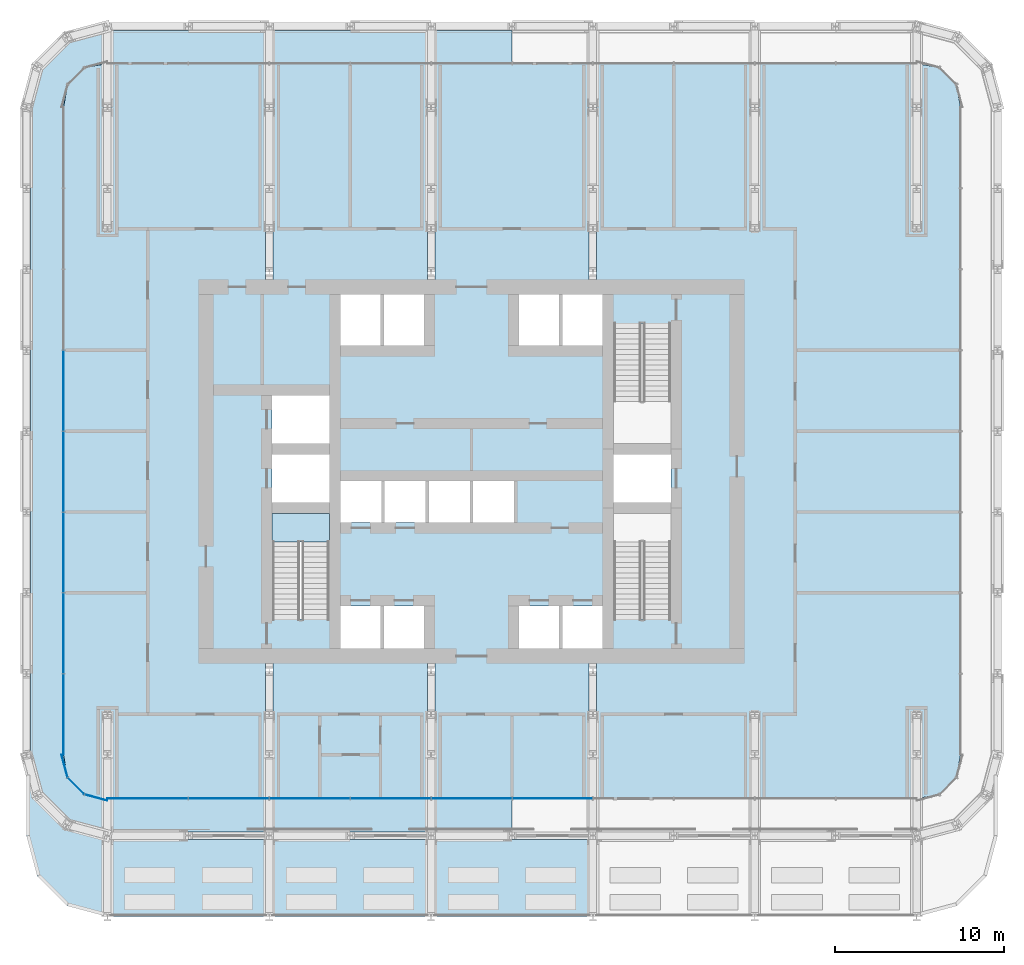
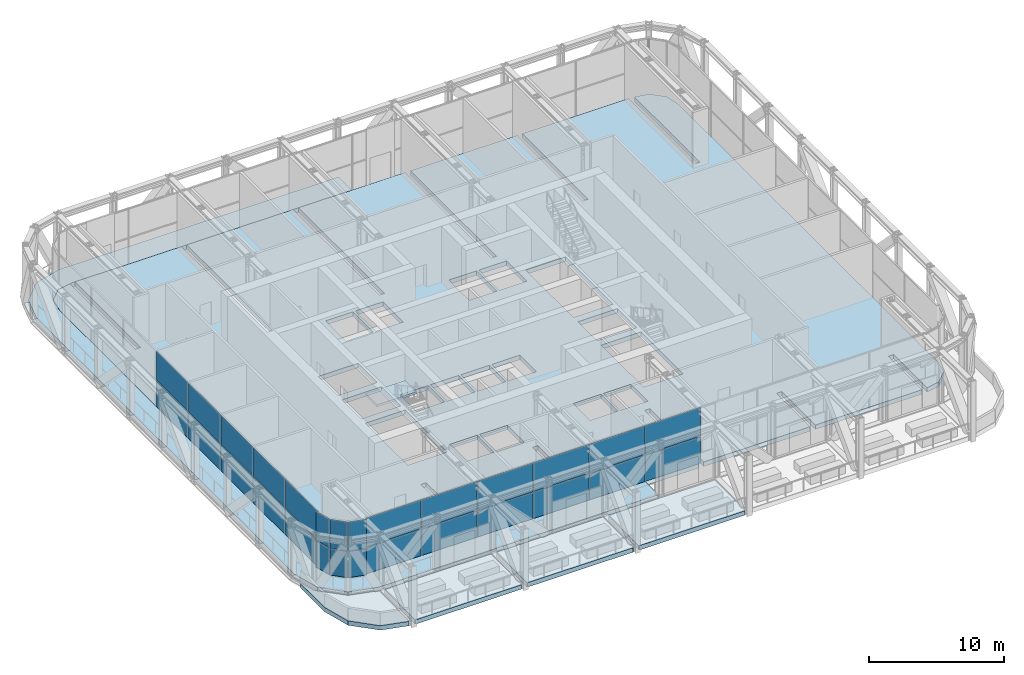
# One storey, part 12 of 23: 28 plates, 7 slabs, 4 elements without a shape of their own.
"""IFC4 building model written with IfcOpenShell, lengths in metres."""

from ifc_helpers import new_model, si_unit, direction, frame, origin, origin_2d, place, context, subcontext, project, spatial, polyline, rectangle, outline, extrude, material, layer, layer_set, type_object, element, aggregate, save


model = new_model("IFC4")

# Units and contexts
model_context = context("Model", 3, precision=1e-05, world=origin(), true_north=direction((0.0, 1.0)))
body_context = subcontext(model_context, "Body", "Model", "MODEL_VIEW")
ifc_project = project(units=[si_unit("LENGTHUNIT", "METRE"), si_unit("AREAUNIT", "SQUARE_METRE"), si_unit("VOLUMEUNIT", "CUBIC_METRE"), si_unit("PLANEANGLEUNIT", "RADIAN"), si_unit("MASSUNIT", "GRAM", prefix="KILO")], contexts=[model_context])

# Site, building, storey
site_placement = place(None, origin())
site = spatial("IfcSite", under=ifc_project, at=site_placement, CompositionType="ELEMENT")
building_placement = place(site_placement, origin())
building = spatial("IfcBuilding", under=site, at=building_placement, Name="Madar Terraces", CompositionType="ELEMENT")
storey_placement = place(building_placement, frame((0.0, 0.0, 83.800048828125)))
storey = spatial("IfcBuildingStorey", under=building, at=storey_placement, Name="L21", CompositionType="ELEMENT", Elevation=83.800048828125)

# Slab
ifc_material_1 = material(Name="Concrete C50/60", Category="concrete")
ifc_layer_1 = layer(ifc_material_1, 0.39990234375)
ifc_layer_set_1 = layer_set([ifc_layer_1], Name="FS6 PT flat slab 400")
slab_type_1 = type_object("IfcSlabType", Name="FS6 PT flat slab 400", PredefinedType="FLOOR", material=ifc_layer_set_1)
slab_1_placement = place(storey_placement, frame((0.0, 0.0, -0.400146484375)))
element("IfcSlab", 1, at=slab_1_placement, inside=storey, type_object=slab_type_1, Name="Floor slab L21 (1)", PredefinedType="FLOOR", context=body_context, shape_type="SweptSolid", body=[
    extrude(outline(polyline([(48.224853515625, 12.0), (48.224853515625, 7.0), (57.375244140625, 7.0), (57.375244140625, 12.0), (57.82470703125, 12.0), (57.82470703125, 7.040283203125), (58.9599609375, 7.244384765625), (59.95556640625, 8.239990234375), (60.199951171875, 9.60009765625), (60.199951171875, 48.0), (59.95556640625, 49.360107421875), (58.9599609375, 50.35546875), (57.82470703125, 50.5595703125), (57.82470703125, 40.800048828125), (57.375244140625, 40.800048828125), (57.375244140625, 50.60009765625), (48.224853515625, 50.60009765625), (48.224853515625, 40.800048828125), (47.775146484375, 40.800048828125), (47.775146484375, 50.60009765625), (38.624755859375, 50.60009765625), (38.624755859375, 37.800048828125), (38.17529296875, 37.800048828125), (38.17529296875, 50.60009765625), (29.02490234375, 50.60009765625), (29.02490234375, 37.800048828125), (28.5751953125, 37.800048828125), (28.5751953125, 50.60009765625), (19.4248046875, 50.60009765625), (19.4248046875, 37.800048828125), (18.97509765625, 37.800048828125), (18.97509765625, 50.60009765625), (9.82470703125, 50.60009765625), (9.82470703125, 40.800048828125), (9.375244140625, 40.800048828125), (9.375244140625, 50.5595703125), (8.239990234375, 50.35546875), (7.244384765625, 49.360107421875), (7.0, 48.0), (7.0, 9.60009765625), (7.244384765625, 8.239990234375), (8.239990234375, 7.244384765625), (9.375244140625, 7.040283203125), (9.375244140625, 12.0), (9.82470703125, 12.0), (9.82470703125, 7.0), (18.97509765625, 7.0), (18.97509765625, 15.0), (19.4248046875, 15.0), (19.4248046875, 7.0), (28.5751953125, 7.0), (28.5751953125, 15.0), (29.02490234375, 15.0), (29.02490234375, 7.0), (38.17529296875, 7.0), (38.17529296875, 15.0), (38.624755859375, 15.0), (38.624755859375, 7.0), (47.775146484375, 7.0), (47.775146484375, 12.0), (48.224853515625, 12.0)]), holes=[polyline([(25.800048828125, 15.89990234375), (23.425048828125, 15.89990234375), (23.425048828125, 18.425048828125), (25.800048828125, 18.425048828125), (25.800048828125, 15.89990234375)]), polyline([(28.375, 15.89990234375), (26.0, 15.89990234375), (26.0, 18.425048828125), (28.375, 18.425048828125), (28.375, 15.89990234375)]), polyline([(22.77490234375, 17.64990234375), (19.375, 17.64990234375), (19.375, 23.925048828125), (22.77490234375, 23.925048828125), (22.77490234375, 17.64990234375)]), polyline([(25.85009765625, 23.375), (23.425048828125, 23.375), (23.425048828125, 25.824951171875), (25.85009765625, 25.824951171875), (25.85009765625, 23.375)]), polyline([(28.47509765625, 23.375), (26.050048828125, 23.375), (26.050048828125, 25.824951171875), (28.47509765625, 25.824951171875), (28.47509765625, 23.375)]), polyline([(22.77490234375, 24.574951171875), (19.375, 24.574951171875), (19.375, 27.425048828125), (22.77490234375, 27.425048828125), (22.77490234375, 24.574951171875)]), polyline([(22.77490234375, 28.074951171875), (19.375, 28.074951171875), (19.375, 30.925048828125), (22.77490234375, 30.925048828125), (22.77490234375, 28.074951171875)]), polyline([(23.425048828125, 33.875), (23.425048828125, 36.89990234375), (25.800048828125, 36.89990234375), (25.800048828125, 33.875), (23.425048828125, 33.875)]), polyline([(26.0, 33.875), (26.0, 36.89990234375), (28.375, 36.89990234375), (28.375, 33.875), (26.0, 33.875)]), polyline([(36.39990234375, 15.89990234375), (34.02490234375, 15.89990234375), (34.02490234375, 18.425048828125), (36.39990234375, 18.425048828125), (36.39990234375, 15.89990234375)]), polyline([(38.97509765625, 15.89990234375), (36.60009765625, 15.89990234375), (36.60009765625, 18.425048828125), (38.97509765625, 18.425048828125), (38.97509765625, 15.89990234375)]), polyline([(43.02490234375, 17.64990234375), (39.625, 17.64990234375), (39.625, 23.925048828125), (43.02490234375, 23.925048828125), (43.02490234375, 17.64990234375)]), polyline([(31.10009765625, 23.375), (28.675048828125, 23.375), (28.675048828125, 25.824951171875), (31.10009765625, 25.824951171875), (31.10009765625, 23.375)]), polyline([(33.72509765625, 23.375), (31.300048828125, 23.375), (31.300048828125, 25.824951171875), (33.72509765625, 25.824951171875), (33.72509765625, 23.375)]), polyline([(43.02490234375, 24.574951171875), (39.625, 24.574951171875), (39.625, 27.425048828125), (43.02490234375, 27.425048828125), (43.02490234375, 24.574951171875)]), polyline([(43.02490234375, 28.074951171875), (39.625, 28.074951171875), (39.625, 35.14990234375), (43.02490234375, 35.14990234375), (43.02490234375, 28.074951171875)]), polyline([(34.02490234375, 33.875), (34.02490234375, 36.89990234375), (36.39990234375, 36.89990234375), (36.39990234375, 33.875), (34.02490234375, 33.875)]), polyline([(36.60009765625, 33.875), (36.60009765625, 36.89990234375), (38.97509765625, 36.89990234375), (38.97509765625, 33.875), (36.60009765625, 33.875)])]), origin(), (0.0, 0.0, 1.0), 0.400146484375),
])

# Curtain wall, plates
ifc_material_2 = material(Name="Glass, ceramic frit dark grey, with black aluminium frame", Category="aluminium")
ifc_layer_2 = layer(ifc_material_2, 0.199951171875)
ifc_layer_set_2 = layer_set([ifc_layer_2], Name="Facade curtain wall, tall glazing")
curtain_wall_type = type_object("IfcCurtainWallType", Name="Facade curtain wall, tall glazing", PredefinedType="NOTDEFINED", material=ifc_layer_set_2)
curtain_wall_1_placement = place(storey_placement, origin())
curtain_wall_1 = element("IfcCurtainWall", 2, at=curtain_wall_1_placement, inside=storey, type_object=curtain_wall_type, Name="Outer skin curtain wall south bay 1", PredefinedType="NOTDEFINED")
ifc_material_3 = material(Name="Glass, ceramic frit dark grey", Category="glass")
ifc_layer_3 = layer(ifc_material_3, 0.028076171875)
ifc_layer_set_3 = layer_set([ifc_layer_3], Name="Facade glass panel 28")
plate_type = type_object("IfcPlateType", Name="Facade glass panel 28", PredefinedType="CURTAIN_PANEL", material=ifc_layer_set_3)
plate_1_placement = place(storey_placement, frame((11.985107421875, 7.0, 0.0), z_axis=(0.0, 0.0, 1.0), x_axis=(1.0, 0.0, 0.0)))
plate_1 = element("IfcPlate", 3, at=plate_1_placement, type_object=plate_type, Name="Panel 1", PredefinedType="CURTAIN_PANEL", context=body_context, shape_type="SweptSolid", body=[
    extrude(rectangle(XDim=4.77001953125, YDim=0.028076171875, at=origin_2d()), origin(), (0.0, 0.0, 1.0), 2.3701171875),
])
plate_2_placement = place(storey_placement, frame((11.985107421875, 7.0, 2.4296875), z_axis=(0.0, 0.0, 1.0), x_axis=(1.0, 0.0, 0.0)))
plate_2 = element("IfcPlate", 4, at=plate_2_placement, type_object=plate_type, Name="Panel 2", PredefinedType="CURTAIN_PANEL", context=body_context, shape_type="SweptSolid", body=[
    extrude(rectangle(XDim=4.77001953125, YDim=0.028076171875, at=origin_2d()), origin(), (0.0, 0.0, 1.0), 2.610107421875),
])
plate_3_placement = place(storey_placement, frame((16.800048828125, 7.0, 0.0), z_axis=(0.0, 0.0, 1.0), x_axis=(1.0, 0.0, 0.0)))
plate_3 = element("IfcPlate", 5, at=plate_3_placement, type_object=plate_type, Name="Panel 3", PredefinedType="CURTAIN_PANEL", context=body_context, shape_type="SweptSolid", body=[
    extrude(rectangle(XDim=4.739990234375, YDim=0.028076171875, at=origin_2d()), origin(), (0.0, 0.0, 1.0), 2.3701171875),
])
plate_4_placement = place(storey_placement, frame((16.800048828125, 7.0, 2.4296875), z_axis=(0.0, 0.0, 1.0), x_axis=(1.0, 0.0, 0.0)))
plate_4 = element("IfcPlate", 6, at=plate_4_placement, type_object=plate_type, Name="Panel 4", PredefinedType="CURTAIN_PANEL", context=body_context, shape_type="SweptSolid", body=[
    extrude(rectangle(XDim=4.739990234375, YDim=0.028076171875, at=origin_2d()), origin(), (0.0, 0.0, 1.0), 2.610107421875),
])
plate_5_placement = place(storey_placement, frame((21.60009765625, 7.0, 0.0), z_axis=(0.0, 0.0, 1.0), x_axis=(1.0, 0.0, 0.0)))
plate_5 = element("IfcPlate", 7, at=plate_5_placement, type_object=plate_type, Name="Panel 5", PredefinedType="CURTAIN_PANEL", context=body_context, shape_type="SweptSolid", body=[
    extrude(rectangle(XDim=4.739990234375, YDim=0.028076171875, at=origin_2d()), origin(), (0.0, 0.0, 1.0), 2.3701171875),
])
plate_6_placement = place(storey_placement, frame((21.60009765625, 7.0, 2.4296875), z_axis=(0.0, 0.0, 1.0), x_axis=(1.0, 0.0, 0.0)))
plate_6 = element("IfcPlate", 8, at=plate_6_placement, type_object=plate_type, Name="Panel 6", PredefinedType="CURTAIN_PANEL", context=body_context, shape_type="SweptSolid", body=[
    extrude(rectangle(XDim=4.739990234375, YDim=0.028076171875, at=origin_2d()), origin(), (0.0, 0.0, 1.0), 2.610107421875),
])
plate_7_placement = place(storey_placement, frame((26.39990234375, 7.0, 0.0), z_axis=(0.0, 0.0, 1.0), x_axis=(1.0, 0.0, 0.0)))
plate_7 = element("IfcPlate", 9, at=plate_7_placement, type_object=plate_type, Name="Panel 7", PredefinedType="CURTAIN_PANEL", context=body_context, shape_type="SweptSolid", body=[
    extrude(rectangle(XDim=4.739990234375, YDim=0.028076171875, at=origin_2d()), origin(), (0.0, 0.0, 1.0), 2.3701171875),
])
plate_8_placement = place(storey_placement, frame((26.39990234375, 7.0, 2.4296875), z_axis=(0.0, 0.0, 1.0), x_axis=(1.0, 0.0, 0.0)))
plate_8 = element("IfcPlate", 10, at=plate_8_placement, type_object=plate_type, Name="Panel 8", PredefinedType="CURTAIN_PANEL", context=body_context, shape_type="SweptSolid", body=[
    extrude(rectangle(XDim=4.739990234375, YDim=0.028076171875, at=origin_2d()), origin(), (0.0, 0.0, 1.0), 2.610107421875),
])
plate_9_placement = place(storey_placement, frame((31.199951171875, 7.0, 0.0), z_axis=(0.0, 0.0, 1.0), x_axis=(1.0, 0.0, 0.0)))
plate_9 = element("IfcPlate", 11, at=plate_9_placement, type_object=plate_type, Name="Panel 9", PredefinedType="CURTAIN_PANEL", context=body_context, shape_type="SweptSolid", body=[
    extrude(rectangle(XDim=4.739990234375, YDim=0.028076171875, at=origin_2d()), origin(), (0.0, 0.0, 1.0), 2.3701171875),
])
plate_10_placement = place(storey_placement, frame((31.199951171875, 7.0, 2.4296875), z_axis=(0.0, 0.0, 1.0), x_axis=(1.0, 0.0, 0.0)))
plate_10 = element("IfcPlate", 12, at=plate_10_placement, type_object=plate_type, Name="Panel 10", PredefinedType="CURTAIN_PANEL", context=body_context, shape_type="SweptSolid", body=[
    extrude(rectangle(XDim=4.739990234375, YDim=0.028076171875, at=origin_2d()), origin(), (0.0, 0.0, 1.0), 2.610107421875),
])
plate_11_placement = place(storey_placement, frame((36.0, 7.0, 0.0), z_axis=(0.0, 0.0, 1.0), x_axis=(1.0, 0.0, 0.0)))
plate_11 = element("IfcPlate", 13, at=plate_11_placement, type_object=plate_type, Name="Panel 11", PredefinedType="CURTAIN_PANEL", context=body_context, shape_type="SweptSolid", body=[
    extrude(rectangle(XDim=4.739990234375, YDim=0.028076171875, at=origin_2d()), origin(), (0.0, 0.0, 1.0), 2.3701171875),
])
plate_12_placement = place(storey_placement, frame((36.0, 7.0, 2.4296875), z_axis=(0.0, 0.0, 1.0), x_axis=(1.0, 0.0, 0.0)))
plate_12 = element("IfcPlate", 14, at=plate_12_placement, type_object=plate_type, Name="Panel 12", PredefinedType="CURTAIN_PANEL", context=body_context, shape_type="SweptSolid", body=[
    extrude(rectangle(XDim=4.739990234375, YDim=0.028076171875, at=origin_2d()), origin(), (0.0, 0.0, 1.0), 2.610107421875),
])
aggregate(curtain_wall_1, [plate_1, plate_2, plate_3, plate_4, plate_5, plate_6, plate_7, plate_8, plate_9, plate_10, plate_11, plate_12])

curtain_wall_2_placement = place(storey_placement, origin())
curtain_wall_2 = element("IfcCurtainWall", 15, at=curtain_wall_2_placement, inside=storey, type_object=curtain_wall_type, Name="Outer skin curtain wall west bay 1", PredefinedType="NOTDEFINED")
plate_13_placement = place(storey_placement, frame((7.0, 31.199951171875, 0.0), z_axis=(0.0, 0.0, 1.0), x_axis=(0.0, -1.0, 0.0)))
plate_13 = element("IfcPlate", 16, at=plate_13_placement, type_object=plate_type, Name="Panel 7", PredefinedType="CURTAIN_PANEL", context=body_context, shape_type="SweptSolid", body=[
    extrude(rectangle(XDim=4.739990234375, YDim=0.028076171875, at=origin_2d()), origin(), (0.0, 0.0, 1.0), 2.3701171875),
])
plate_14_placement = place(storey_placement, frame((7.0, 31.199951171875, 2.4296875), z_axis=(0.0, 0.0, 1.0), x_axis=(0.0, -1.0, 0.0)))
plate_14 = element("IfcPlate", 17, at=plate_14_placement, type_object=plate_type, Name="Panel 8", PredefinedType="CURTAIN_PANEL", context=body_context, shape_type="SweptSolid", body=[
    extrude(rectangle(XDim=4.739990234375, YDim=0.028076171875, at=origin_2d()), origin(), (0.0, 0.0, 1.0), 2.610107421875),
])
plate_15_placement = place(storey_placement, frame((7.0, 26.39990234375, 0.0), z_axis=(0.0, 0.0, 1.0), x_axis=(0.0, -1.0, 0.0)))
plate_15 = element("IfcPlate", 18, at=plate_15_placement, type_object=plate_type, Name="Panel 9", PredefinedType="CURTAIN_PANEL", context=body_context, shape_type="SweptSolid", body=[
    extrude(rectangle(XDim=4.739990234375, YDim=0.028076171875, at=origin_2d()), origin(), (0.0, 0.0, 1.0), 2.3701171875),
])
plate_16_placement = place(storey_placement, frame((7.0, 26.39990234375, 2.4296875), z_axis=(0.0, 0.0, 1.0), x_axis=(0.0, -1.0, 0.0)))
plate_16 = element("IfcPlate", 19, at=plate_16_placement, type_object=plate_type, Name="Panel 10", PredefinedType="CURTAIN_PANEL", context=body_context, shape_type="SweptSolid", body=[
    extrude(rectangle(XDim=4.739990234375, YDim=0.028076171875, at=origin_2d()), origin(), (0.0, 0.0, 1.0), 2.610107421875),
])
plate_17_placement = place(storey_placement, frame((7.0, 21.60009765625, 0.0), z_axis=(0.0, 0.0, 1.0), x_axis=(0.0, -1.0, 0.0)))
plate_17 = element("IfcPlate", 20, at=plate_17_placement, type_object=plate_type, Name="Panel 11", PredefinedType="CURTAIN_PANEL", context=body_context, shape_type="SweptSolid", body=[
    extrude(rectangle(XDim=4.739990234375, YDim=0.028076171875, at=origin_2d()), origin(), (0.0, 0.0, 1.0), 2.3701171875),
])
plate_18_placement = place(storey_placement, frame((7.0, 21.60009765625, 2.4296875), z_axis=(0.0, 0.0, 1.0), x_axis=(0.0, -1.0, 0.0)))
plate_18 = element("IfcPlate", 21, at=plate_18_placement, type_object=plate_type, Name="Panel 12", PredefinedType="CURTAIN_PANEL", context=body_context, shape_type="SweptSolid", body=[
    extrude(rectangle(XDim=4.739990234375, YDim=0.028076171875, at=origin_2d()), origin(), (0.0, 0.0, 1.0), 2.610107421875),
])
plate_19_placement = place(storey_placement, frame((7.0, 16.800048828125, 0.0), z_axis=(0.0, 0.0, 1.0), x_axis=(0.0, -1.0, 0.0)))
plate_19 = element("IfcPlate", 22, at=plate_19_placement, type_object=plate_type, Name="Panel 13", PredefinedType="CURTAIN_PANEL", context=body_context, shape_type="SweptSolid", body=[
    extrude(rectangle(XDim=4.739990234375, YDim=0.028076171875, at=origin_2d()), origin(), (0.0, 0.0, 1.0), 2.3701171875),
])
plate_20_placement = place(storey_placement, frame((7.0, 16.800048828125, 2.4296875), z_axis=(0.0, 0.0, 1.0), x_axis=(0.0, -1.0, 0.0)))
plate_20 = element("IfcPlate", 23, at=plate_20_placement, type_object=plate_type, Name="Panel 14", PredefinedType="CURTAIN_PANEL", context=body_context, shape_type="SweptSolid", body=[
    extrude(rectangle(XDim=4.739990234375, YDim=0.028076171875, at=origin_2d()), origin(), (0.0, 0.0, 1.0), 2.610107421875),
])
plate_21_placement = place(storey_placement, frame((7.0, 11.985107421875, 0.0), z_axis=(0.0, 0.0, 1.0), x_axis=(0.0, -1.0, 0.0)))
plate_21 = element("IfcPlate", 24, at=plate_21_placement, type_object=plate_type, Name="Panel 15", PredefinedType="CURTAIN_PANEL", context=body_context, shape_type="SweptSolid", body=[
    extrude(rectangle(XDim=4.77001953125, YDim=0.028076171875, at=origin_2d()), origin(), (0.0, 0.0, 1.0), 2.3701171875),
])
plate_22_placement = place(storey_placement, frame((7.0, 11.985107421875, 2.4296875), z_axis=(0.0, 0.0, 1.0), x_axis=(0.0, -1.0, 0.0)))
plate_22 = element("IfcPlate", 25, at=plate_22_placement, type_object=plate_type, Name="Panel 16", PredefinedType="CURTAIN_PANEL", context=body_context, shape_type="SweptSolid", body=[
    extrude(rectangle(XDim=4.77001953125, YDim=0.028076171875, at=origin_2d()), origin(), (0.0, 0.0, 1.0), 2.610107421875),
])
aggregate(curtain_wall_2, [plate_13, plate_14, plate_15, plate_16, plate_17, plate_18, plate_19, plate_20, plate_21, plate_22])

curtain_wall_3_placement = place(storey_placement, origin())
curtain_wall_3 = element("IfcCurtainWall", 26, at=curtain_wall_3_placement, inside=storey, type_object=curtain_wall_type, Name="Outer skin curtain wall south-west corner", PredefinedType="NOTDEFINED")
plate_23_placement = place(storey_placement, frame((7.058349609375, 8.9345703125, 0.0), z_axis=(0.0, 0.0, 1.0), x_axis=(0.258819110244, -0.965925808834, 0.0)))
plate_23 = element("IfcPlate", 27, at=plate_23_placement, type_object=plate_type, Name="Panel 1", PredefinedType="CURTAIN_PANEL", context=body_context, shape_type="SweptSolid", body=[
    extrude(rectangle(XDim=1.3779296875, YDim=0.028076171875, at=origin_2d()), origin(), (0.0, 0.0, 1.0), 2.3701171875),
])
plate_24_placement = place(storey_placement, frame((7.058349609375, 8.9345703125, 2.4296875), z_axis=(0.0, 0.0, 1.0), x_axis=(0.258819110244, -0.965925808834, 0.0)))
plate_24 = element("IfcPlate", 28, at=plate_24_placement, type_object=plate_type, Name="Panel 2", PredefinedType="CURTAIN_PANEL", context=body_context, shape_type="SweptSolid", body=[
    extrude(rectangle(XDim=1.3779296875, YDim=0.028076171875, at=origin_2d()), origin(), (0.0, 0.0, 1.0), 2.610107421875),
])
plate_25_placement = place(storey_placement, frame((7.7421875, 7.7421875, 0.0), z_axis=(0.0, 0.0, 1.0), x_axis=(0.707106781187, -0.707106781187, 0.0)))
plate_25 = element("IfcPlate", 29, at=plate_25_placement, type_object=plate_type, Name="Panel 3", PredefinedType="CURTAIN_PANEL", context=body_context, shape_type="SweptSolid", body=[
    extrude(rectangle(XDim=1.347900390625, YDim=0.028076171875, at=origin_2d()), origin(), (0.0, 0.0, 1.0), 2.3701171875),
])
plate_26_placement = place(storey_placement, frame((7.7421875, 7.7421875, 2.4296875), z_axis=(0.0, 0.0, 1.0), x_axis=(0.707106781187, -0.707106781187, 0.0)))
plate_26 = element("IfcPlate", 30, at=plate_26_placement, type_object=plate_type, Name="Panel 4", PredefinedType="CURTAIN_PANEL", context=body_context, shape_type="SweptSolid", body=[
    extrude(rectangle(XDim=1.347900390625, YDim=0.028076171875, at=origin_2d()), origin(), (0.0, 0.0, 1.0), 2.610107421875),
])
plate_27_placement = place(storey_placement, frame((8.9345703125, 7.058349609375, 0.0), z_axis=(0.0, 0.0, 1.0), x_axis=(0.965925808834, -0.258819110244, 0.0)))
plate_27 = element("IfcPlate", 31, at=plate_27_placement, type_object=plate_type, Name="Panel 5", PredefinedType="CURTAIN_PANEL", context=body_context, shape_type="SweptSolid", body=[
    extrude(rectangle(XDim=1.3779296875, YDim=0.028076171875, at=origin_2d()), origin(), (0.0, 0.0, 1.0), 2.3701171875),
])
plate_28_placement = place(storey_placement, frame((8.9345703125, 7.058349609375, 2.4296875), z_axis=(0.0, 0.0, 1.0), x_axis=(0.965925808834, -0.258819110244, 0.0)))
plate_28 = element("IfcPlate", 32, at=plate_28_placement, type_object=plate_type, Name="Panel 6", PredefinedType="CURTAIN_PANEL", context=body_context, shape_type="SweptSolid", body=[
    extrude(rectangle(XDim=1.3779296875, YDim=0.028076171875, at=origin_2d()), origin(), (0.0, 0.0, 1.0), 2.610107421875),
])
aggregate(curtain_wall_3, [plate_23, plate_24, plate_25, plate_26, plate_27, plate_28])

# Stair, slab
ifc_material_4 = material(Name="Concrete C50/60", Category="concrete")
stair_type = type_object("IfcStairType", Name="Stair ST1 protected exit", PredefinedType="HALF_TURN_STAIR", material=ifc_material_4)
stair_placement = place(storey_placement, origin())
stair = element("IfcStair", 33, at=stair_placement, inside=storey, type_object=stair_type, Name="L21 Protected Exit Stair ST1", PredefinedType="HALF_TURN_STAIR")
ifc_material_5 = material(Name="Concrete C50/60", Category="concrete")
ifc_layer_4 = layer(ifc_material_5, 0.199951171875)
ifc_layer_set_4 = layer_set([ifc_layer_4], Name="Stair landing 200, top +2.70")
slab_type_2 = type_object("IfcSlabType", Name="Stair landing 200, top +2.70", PredefinedType="LANDING", material=ifc_layer_set_4)
slab_2_placement = place(storey_placement, frame((0.0, 0.0, 2.5)))
slab_2 = element("IfcSlab", 34, at=slab_2_placement, type_object=slab_type_2, Name="ST1 landing 1", PredefinedType="LANDING", context=body_context, shape_type="SweptSolid", body=[
    extrude(outline(polyline([(19.375, 22.219970703125), (22.77490234375, 22.219970703125), (22.77490234375, 23.925048828125), (19.375, 23.925048828125), (19.375, 22.219970703125)])), origin(), (0.0, 0.0, 1.0), 0.199951171875),
])
aggregate(stair, [slab_2])

# Slabs
ifc_material_6 = material(Name="Concrete C50/60", Category="concrete")
ifc_layer_5 = layer(ifc_material_6, 0.39990234375)
ifc_layer_set_5 = layer_set([ifc_layer_5], Name="TS1 PT terrace slab 400")
slab_type_3 = type_object("IfcSlabType", Name="TS1 PT terrace slab 400", PredefinedType="FLOOR", material=ifc_layer_set_5)
slab_3_placement = place(storey_placement, frame((0.0, 0.0, -0.400146484375)))
element("IfcSlab", 35, at=slab_3_placement, inside=storey, type_object=slab_type_3, Name="Gallery slab L21 (1)", PredefinedType="FLOOR", context=body_context, shape_type="SweptSolid", body=[
    extrude(outline(polyline([(7.31640625, 5.64453125), (9.629638671875, 5.02490234375), (33.60009765625, 5.02490234375), (33.60009765625, 7.0), (9.60009765625, 7.0), (8.239990234375, 7.244384765625), (7.244384765625, 8.239990234375), (7.0, 9.60009765625), (7.0, 48.0), (7.244384765625, 49.360107421875), (8.239990234375, 50.35546875), (9.60009765625, 50.60009765625), (33.60009765625, 50.60009765625), (33.60009765625, 52.5751953125), (9.629638671875, 52.5751953125), (7.31640625, 51.955322265625), (5.64453125, 50.28369140625), (5.02490234375, 47.970458984375), (5.02490234375, 9.629638671875), (5.64453125, 7.31640625), (7.31640625, 5.64453125)])), origin(), (0.0, 0.0, 1.0), 0.400146484375),
])
slab_4_placement = place(storey_placement, frame((0.0, 0.0, -0.400146484375)))
element("IfcSlab", 36, at=slab_4_placement, inside=storey, type_object=slab_type_3, Name="Terrace roof slab L21 (1)", PredefinedType="FLOOR", context=body_context, shape_type="SweptSolid", body=[
    extrude(outline(polyline([(7.082763671875, 5.242431640625), (5.242431640625, 7.082763671875), (5.24169921875, 7.083740234375), (5.2412109375, 7.0849609375), (4.898193359375, 8.36474609375), (4.896728515625, 8.369384765625), (4.894775390625, 8.3740234375), (4.892333984375, 8.378173828125), (4.8896484375, 8.38232421875), (4.88623046875, 8.385986328125), (4.8828125, 8.389404296875), (4.87890625, 8.392578125), (4.87451171875, 8.395263671875), (4.8701171875, 8.3974609375), (4.865478515625, 8.399169921875), (4.86083984375, 8.400634765625), (4.85595703125, 8.4013671875), (4.850830078125, 8.401611328125), (4.845947265625, 8.401611328125), (4.841064453125, 8.40087890625), (4.836181640625, 8.399658203125), (4.83154296875, 8.398193359375), (4.826904296875, 8.39599609375), (4.82275390625, 8.3935546875), (4.818603515625, 8.390625), (4.81494140625, 8.387451171875), (4.8115234375, 8.3837890625), (4.80859375, 8.379638671875), (4.80615234375, 8.37548828125), (4.803955078125, 8.37109375), (4.80224609375, 8.366455078125), (4.801025390625, 8.361572265625), (4.80029296875, 8.356689453125), (4.800048828125, 8.351806640625), (4.800048828125, 4.806640625), (4.80029296875, 4.80224609375), (4.80078125, 4.7978515625), (4.8017578125, 4.793701171875), (5.439697265625, 2.412841796875), (5.441162109375, 2.407958984375), (5.443359375, 2.403076171875), (5.446044921875, 2.398681640625), (5.448974609375, 2.39453125), (5.45263671875, 2.390625), (7.1904296875, 0.652587890625), (7.1943359375, 0.649169921875), (7.19873046875, 0.64599609375), (7.203125, 0.643310546875), (7.2080078125, 0.64111328125), (7.212890625, 0.6396484375), (9.312255859375, 0.0771484375), (9.31689453125, 0.076171875), (9.32177734375, 0.075439453125), (9.32666015625, 0.075439453125), (9.331298828125, 0.07568359375), (9.336181640625, 0.07666015625), (9.3408203125, 0.077880859375), (9.34521484375, 0.07958984375), (9.349609375, 0.081787109375), (9.353759765625, 0.084228515625), (9.357421875, 0.087158203125), (9.361083984375, 0.090576171875), (9.3642578125, 0.09423828125), (9.3671875, 0.09814453125), (9.36962890625, 0.102294921875), (9.37158203125, 0.106689453125), (9.373046875, 0.111083984375), (9.374267578125, 0.11572265625), (9.375, 0.12060546875), (9.375244140625, 0.12548828125), (9.375244140625, 4.589111328125), (9.375, 4.59423828125), (9.374267578125, 4.59912109375), (9.373046875, 4.60400390625), (9.37109375, 4.608642578125), (9.368896484375, 4.61328125), (9.366455078125, 4.617431640625), (9.36328125, 4.62158203125), (9.35986328125, 4.625244140625), (9.35595703125, 4.62841796875), (9.35205078125, 4.63134765625), (9.34765625, 4.6337890625), (9.343017578125, 4.635986328125), (9.338134765625, 4.637451171875), (7.0849609375, 5.2412109375), (7.083740234375, 5.24169921875), (7.082763671875, 5.242431640625)])), origin(), (0.0, 0.0, 1.0), 0.400146484375),
])
slab_5_placement = place(storey_placement, frame((0.0, 0.0, -0.400146484375)))
element("IfcSlab", 37, at=slab_5_placement, inside=storey, type_object=slab_type_3, Name="Terrace roof slab L21 (2)", PredefinedType="FLOOR", context=body_context, shape_type="SweptSolid", body=[
    extrude(outline(polyline([(9.869873046875, 0.000244140625), (9.874755859375, 0.0), (18.92529296875, 0.0), (18.93017578125, 0.000244140625), (18.93505859375, 0.0009765625), (18.939697265625, 0.002197265625), (18.9443359375, 0.00390625), (18.94873046875, 0.005859375), (18.952880859375, 0.008544921875), (18.95703125, 0.01123046875), (18.96044921875, 0.0146484375), (18.9638671875, 0.018310546875), (18.966796875, 0.022216796875), (18.96923828125, 0.0263671875), (18.971435546875, 0.03076171875), (18.97314453125, 0.035400390625), (18.974365234375, 0.040283203125), (18.974853515625, 0.045166015625), (18.97509765625, 0.050048828125), (18.97509765625, 4.525146484375), (18.974853515625, 4.530029296875), (18.974365234375, 4.534912109375), (18.97314453125, 4.539794921875), (18.971435546875, 4.54443359375), (18.96923828125, 4.548828125), (18.966796875, 4.552978515625), (18.9638671875, 4.556884765625), (18.96044921875, 4.560546875), (18.95703125, 4.56396484375), (18.952880859375, 4.56689453125), (18.94873046875, 4.5693359375), (18.9443359375, 4.5712890625), (18.939697265625, 4.572998046875), (18.93505859375, 4.57421875), (18.93017578125, 4.574951171875), (18.92529296875, 4.5751953125), (9.874755859375, 4.5751953125), (9.869873046875, 4.574951171875), (9.864990234375, 4.57421875), (9.8603515625, 4.572998046875), (9.855712890625, 4.5712890625), (9.851318359375, 4.5693359375), (9.846923828125, 4.56689453125), (9.843017578125, 4.56396484375), (9.83935546875, 4.560546875), (9.836181640625, 4.556884765625), (9.833251953125, 4.552978515625), (9.830810546875, 4.548828125), (9.82861328125, 4.54443359375), (9.826904296875, 4.539794921875), (9.82568359375, 4.534912109375), (9.824951171875, 4.530029296875), (9.82470703125, 4.525146484375), (9.82470703125, 0.050048828125), (9.824951171875, 0.045166015625), (9.82568359375, 0.040283203125), (9.826904296875, 0.035400390625), (9.82861328125, 0.03076171875), (9.830810546875, 0.0263671875), (9.833251953125, 0.022216796875), (9.836181640625, 0.018310546875), (9.83935546875, 0.0146484375), (9.843017578125, 0.01123046875), (9.846923828125, 0.008544921875), (9.851318359375, 0.005859375), (9.855712890625, 0.00390625), (9.8603515625, 0.002197265625), (9.864990234375, 0.0009765625), (9.869873046875, 0.000244140625)])), origin(), (0.0, 0.0, 1.0), 0.400146484375),
])
slab_6_placement = place(storey_placement, frame((0.0, 0.0, -0.400146484375)))
element("IfcSlab", 38, at=slab_6_placement, inside=storey, type_object=slab_type_3, Name="Terrace roof slab L21 (3)", PredefinedType="FLOOR", context=body_context, shape_type="SweptSolid", body=[
    extrude(outline(polyline([(19.465087890625, 0.0009765625), (19.469970703125, 0.000244140625), (19.474853515625, 0.0), (28.525146484375, 0.0), (28.530029296875, 0.000244140625), (28.534912109375, 0.0009765625), (28.539794921875, 0.002197265625), (28.54443359375, 0.00390625), (28.548828125, 0.005859375), (28.552978515625, 0.008544921875), (28.556884765625, 0.01123046875), (28.560546875, 0.0146484375), (28.56396484375, 0.018310546875), (28.56689453125, 0.022216796875), (28.5693359375, 0.0263671875), (28.5712890625, 0.03076171875), (28.572998046875, 0.035400390625), (28.57421875, 0.040283203125), (28.574951171875, 0.045166015625), (28.5751953125, 0.050048828125), (28.5751953125, 4.525146484375), (28.574951171875, 4.530029296875), (28.57421875, 4.534912109375), (28.572998046875, 4.539794921875), (28.5712890625, 4.54443359375), (28.5693359375, 4.548828125), (28.56689453125, 4.552978515625), (28.56396484375, 4.556884765625), (28.560546875, 4.560546875), (28.556884765625, 4.56396484375), (28.552978515625, 4.56689453125), (28.548828125, 4.5693359375), (28.54443359375, 4.5712890625), (28.539794921875, 4.572998046875), (28.534912109375, 4.57421875), (28.530029296875, 4.574951171875), (28.525146484375, 4.5751953125), (19.474853515625, 4.5751953125), (19.469970703125, 4.574951171875), (19.465087890625, 4.57421875), (19.460205078125, 4.572998046875), (19.45556640625, 4.5712890625), (19.451171875, 4.5693359375), (19.447021484375, 4.56689453125), (19.443115234375, 4.56396484375), (19.439453125, 4.560546875), (19.43603515625, 4.556884765625), (19.43310546875, 4.552978515625), (19.4306640625, 4.548828125), (19.4287109375, 4.54443359375), (19.427001953125, 4.539794921875), (19.42578125, 4.534912109375), (19.425048828125, 4.530029296875), (19.4248046875, 4.525146484375), (19.4248046875, 0.050048828125), (19.425048828125, 0.045166015625), (19.42578125, 0.040283203125), (19.427001953125, 0.035400390625), (19.4287109375, 0.03076171875), (19.4306640625, 0.0263671875), (19.43310546875, 0.022216796875), (19.43603515625, 0.018310546875), (19.439453125, 0.0146484375), (19.443115234375, 0.01123046875), (19.447021484375, 0.008544921875), (19.451171875, 0.005859375), (19.45556640625, 0.00390625), (19.460205078125, 0.002197265625), (19.465087890625, 0.0009765625)])), origin(), (0.0, 0.0, 1.0), 0.400146484375),
])
slab_7_placement = place(storey_placement, frame((0.0, 0.0, -0.400146484375)))
element("IfcSlab", 39, at=slab_7_placement, inside=storey, type_object=slab_type_3, Name="Terrace roof slab L21 (4)", PredefinedType="FLOOR", context=body_context, shape_type="SweptSolid", body=[
    extrude(outline(polyline([(29.06494140625, 0.0009765625), (29.06982421875, 0.000244140625), (29.07470703125, 0.0), (38.125244140625, 0.0), (38.130126953125, 0.000244140625), (38.135009765625, 0.0009765625), (38.1396484375, 0.002197265625), (38.144287109375, 0.00390625), (38.148681640625, 0.005859375), (38.153076171875, 0.008544921875), (38.156982421875, 0.01123046875), (38.16064453125, 0.0146484375), (38.163818359375, 0.018310546875), (38.166748046875, 0.022216796875), (38.169189453125, 0.0263671875), (38.17138671875, 0.03076171875), (38.173095703125, 0.035400390625), (38.17431640625, 0.040283203125), (38.175048828125, 0.045166015625), (38.17529296875, 0.050048828125), (38.17529296875, 4.525146484375), (38.175048828125, 4.530029296875), (38.17431640625, 4.534912109375), (38.173095703125, 4.539794921875), (38.17138671875, 4.54443359375), (38.169189453125, 4.548828125), (38.166748046875, 4.552978515625), (38.163818359375, 4.556884765625), (38.16064453125, 4.560546875), (38.156982421875, 4.56396484375), (38.153076171875, 4.56689453125), (38.148681640625, 4.5693359375), (38.144287109375, 4.5712890625), (38.1396484375, 4.572998046875), (38.135009765625, 4.57421875), (38.130126953125, 4.574951171875), (38.125244140625, 4.5751953125), (29.07470703125, 4.5751953125), (29.06982421875, 4.574951171875), (29.06494140625, 4.57421875), (29.060302734375, 4.572998046875), (29.0556640625, 4.5712890625), (29.05126953125, 4.5693359375), (29.047119140625, 4.56689453125), (29.04296875, 4.56396484375), (29.03955078125, 4.560546875), (29.0361328125, 4.556884765625), (29.033203125, 4.552978515625), (29.03076171875, 4.548828125), (29.028564453125, 4.54443359375), (29.02685546875, 4.539794921875), (29.025634765625, 4.534912109375), (29.025146484375, 4.530029296875), (29.02490234375, 4.525146484375), (29.02490234375, 0.050048828125), (29.025146484375, 0.045166015625), (29.025634765625, 0.040283203125), (29.02685546875, 0.035400390625), (29.028564453125, 0.03076171875), (29.03076171875, 0.0263671875), (29.033203125, 0.022216796875), (29.0361328125, 0.018310546875), (29.03955078125, 0.0146484375), (29.04296875, 0.01123046875), (29.047119140625, 0.008544921875), (29.05126953125, 0.005859375), (29.0556640625, 0.00390625), (29.060302734375, 0.002197265625), (29.06494140625, 0.0009765625)])), origin(), (0.0, 0.0, 1.0), 0.400146484375),
])

save(model, "model.ifc")
